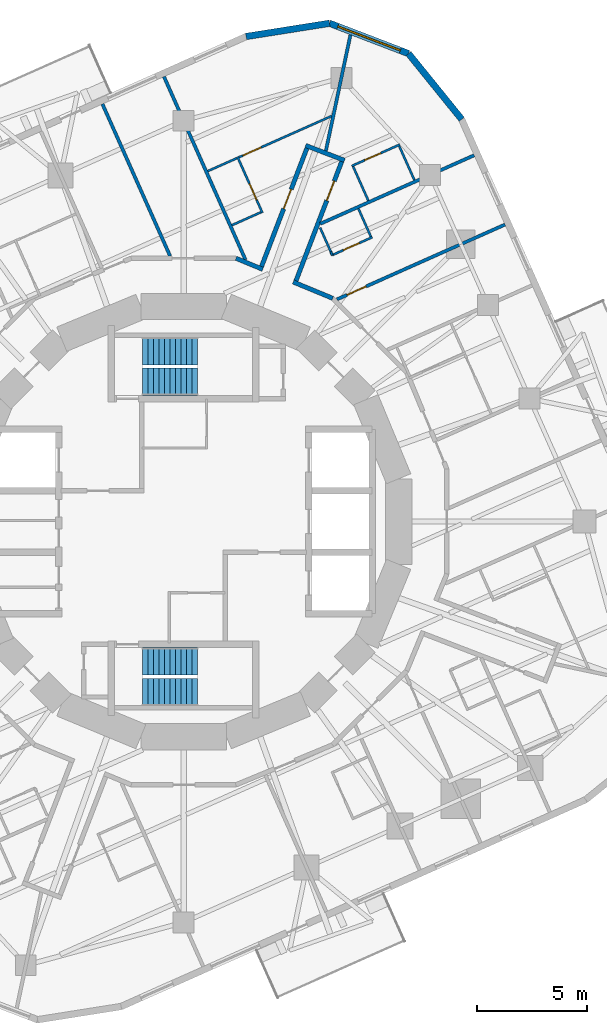
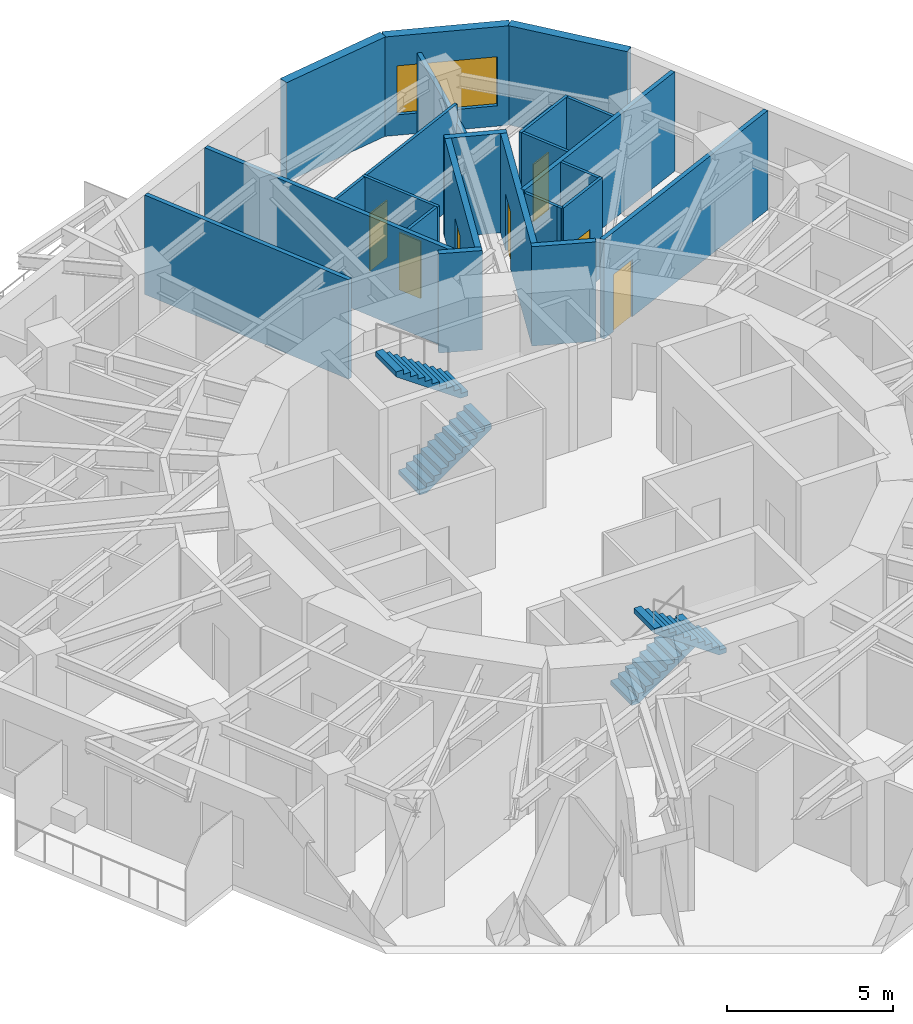
# One storey, part 10 of 12: 24 walls, 7 doors, 4 stair flights, 1 window, 8 openings, 2 elements without a shape of their own.
"""IFC4 building model written with IfcOpenShell, lengths in metres."""

from ifc_helpers import new_model, si_unit, direction, frame, frame_2d, origin, place, context, subcontext, project, spatial, polyline, rectangle, outline, extrude, material, layer, layer_set, type_object, element, fill, aggregate, save


model = new_model("IFC4")

# Units and contexts
model_context = context("Model", 3, precision=1e-05, world=origin(), true_north=direction((0.0, 1.0)))
body_context = subcontext(model_context, "Body", "Model", "MODEL_VIEW")
ifc_project = project(units=[si_unit("LENGTHUNIT", "METRE"), si_unit("AREAUNIT", "SQUARE_METRE"), si_unit("VOLUMEUNIT", "CUBIC_METRE"), si_unit("PLANEANGLEUNIT", "RADIAN"), si_unit("MASSUNIT", "GRAM", prefix="KILO")], contexts=[model_context])

# Site, building, storey
site_placement = place(None, origin())
site = spatial("IfcSite", under=ifc_project, at=site_placement, CompositionType="ELEMENT")
building_placement = place(site_placement, origin())
building = spatial("IfcBuilding", under=site, at=building_placement, Name="Nakasero Lantern House", CompositionType="ELEMENT")
storey_placement = place(building_placement, frame((0.0, 0.0, 190.14990234375)))
storey = spatial("IfcBuildingStorey", under=building, at=storey_placement, Name="L46", CompositionType="ELEMENT", Elevation=190.14990234375)

# Walls
ifc_material_1 = material(Name="Blockwork", Category="masonry")
ifc_layer_1 = layer(ifc_material_1, 0.199951171875)
ifc_layer_set_1 = layer_set([ifc_layer_1], Name="Corridor wall 200")
wall_type_1 = type_object("IfcWallType", Name="Corridor wall 200", PredefinedType="PARTITIONING", material=ifc_layer_set_1)
wall_1_placement = place(storey_placement, frame((2.388427734375, 12.0078125, 0.0), z_axis=(0.0, 0.0, 1.0), x_axis=(0.923893220228, -0.382650385623, 0.0)))
element("IfcWall", 1, at=wall_1_placement, inside=storey, type_object=wall_type_1, Name="Corridor wall L46 RC13a", PredefinedType="PARTITIONING", context=body_context, shape_type="SweptSolid", body=[
    extrude(rectangle(XDim=1.323974609375, YDim=0.199951171875, at=frame_2d((0.662109375, 0.0))), origin(), (0.0, 0.0, 1.0), 3.650146484375),
])
wall_2_placement = place(storey_placement, frame((4.997802734375, 10.927001953125, 0.0), z_axis=(0.0, 0.0, 1.0), x_axis=(0.923881222106, -0.382679353297, 0.0)))
element("IfcWall", 2, at=wall_2_placement, inside=storey, type_object=wall_type_1, Name="Corridor wall L46 RC13b", PredefinedType="PARTITIONING", context=body_context, shape_type="SweptSolid", body=[
    extrude(rectangle(XDim=1.952880859375, YDim=0.199951171875, at=frame_2d((0.9765625, 0.0))), origin(), (0.0, 0.0, 1.0), 3.650146484375),
])

# Wall, opening, door
wall_3_placement = place(storey_placement, frame((5.09033203125, 10.888671875, 0.0), z_axis=(0.0, 0.0, 1.0), x_axis=(0.35835059057, 0.933587089798, 0.0)))
wall_3 = element("IfcWall", 3, at=wall_3_placement, inside=storey, type_object=wall_type_1, Name="Corridor wall L46 SP0a", PredefinedType="PARTITIONING", context=body_context, shape_type="SweptSolid", body=[
    extrude(rectangle(XDim=6.117919921875, YDim=0.199951171875, at=frame_2d((3.05908203125, 0.0))), origin(), (0.0, 0.0, 1.0), 3.650146484375),
])
opening_1_placement = place(wall_3_placement, frame((4.02001953125, 0.0, 0.0)))
opening_1 = element("IfcOpeningElement", 4, at=opening_1_placement, cuts=wall_3, Name="Opening D01", PredefinedType="OPENING", context=body_context, shape_type="SweptSolid", body=[
    extrude(rectangle(XDim=0.949951171875, YDim=2.10009765625, at=frame_2d((0.47509765625, 1.050048828125))), frame((0.0, 0.119873046875, 0.0), z_axis=(0.0, -1.0, 0.0), x_axis=(1.0, 0.0, 0.0)), (0.0, 0.0, 1.0), 0.239990234375),
])
ifc_material_2 = material(Name="Timber C24", Category="wood")
door_type_1 = type_object("IfcDoorType", Name="Bedroom door FD30S 950", OperationType="SINGLE_SWING_LEFT", PredefinedType="DOOR", material=ifc_material_2)
door_1_placement = place(opening_1_placement, origin())
door_1 = element("IfcDoor", 5, at=door_1_placement, inside=storey, type_object=door_type_1, Name="Door L46 D0-06", OperationType="SINGLE_SWING_RIGHT", OverallHeight=2.10009765625, OverallWidth=0.949951171875, PredefinedType="DOOR", context=body_context, shape_type="SweptSolid", body=[
    extrude(rectangle(XDim=0.949951171875, YDim=2.10009765625, at=frame_2d((0.47509765625, 1.050048828125))), frame((0.0, 0.02490234375, 0.0), z_axis=(0.0, -1.0, 0.0), x_axis=(1.0, 0.0, 0.0)), (0.0, 0.0, 1.0), 0.050048828125),
])
fill(opening_1, door_1)

wall_4_placement = place(storey_placement, frame((3.51904296875, 11.53955078125, 0.0), z_axis=(0.0, 0.0, 1.0), x_axis=(0.358394497993, 0.93357023507, 0.0)))
wall_4 = element("IfcWall", 6, at=wall_4_placement, inside=storey, type_object=wall_type_1, Name="Corridor wall L46 SP0b", PredefinedType="PARTITIONING", context=body_context, shape_type="SweptSolid", body=[
    extrude(rectangle(XDim=6.07373046875, YDim=0.199951171875, at=frame_2d((3.036865234375, 0.0))), origin(), (0.0, 0.0, 1.0), 3.650146484375),
])
opening_2_placement = place(wall_4_placement, frame((2.919921875, 0.0, 0.0)))
opening_2 = element("IfcOpeningElement", 7, at=opening_2_placement, cuts=wall_4, Name="Opening D01", PredefinedType="OPENING", context=body_context, shape_type="SweptSolid", body=[
    extrude(rectangle(XDim=0.949951171875, YDim=2.10009765625, at=frame_2d((0.47509765625, 1.050048828125))), frame((0.0, 0.119873046875, 0.0), z_axis=(0.0, -1.0, 0.0), x_axis=(1.0, 0.0, 0.0)), (0.0, 0.0, 1.0), 0.239990234375),
])
door_2_placement = place(opening_2_placement, origin())
door_2 = element("IfcDoor", 8, at=door_2_placement, inside=storey, type_object=door_type_1, Name="Door L46 D1-00", OperationType="SINGLE_SWING_RIGHT", OverallHeight=2.10009765625, OverallWidth=0.949951171875, PredefinedType="DOOR", context=body_context, shape_type="SweptSolid", body=[
    extrude(rectangle(XDim=0.949951171875, YDim=2.10009765625, at=frame_2d((0.47509765625, 1.050048828125))), frame((0.0, 0.02490234375, 0.0), z_axis=(0.0, -1.0, 0.0), x_axis=(1.0, 0.0, 0.0)), (0.0, 0.0, 1.0), 0.050048828125),
])
fill(opening_2, door_2)

# Wall
wall_5_placement = place(storey_placement, frame((7.34033203125, 16.47119140625, 0.0), z_axis=(0.0, 0.0, 1.0), x_axis=(-0.933587135733, 0.3583504709, 0.0)))
element("IfcWall", 9, at=wall_5_placement, inside=storey, type_object=wall_type_1, Name="Corridor wall L46 SP0e", PredefinedType="PARTITIONING", context=body_context, shape_type="SweptSolid", body=[
    extrude(rectangle(XDim=1.900146484375, YDim=0.199951171875, at=frame_2d((0.9501953125, 0.0))), origin(), (0.0, 0.0, 1.0), 3.650146484375),
])

# Wall, opening, door
ifc_material_3 = material(Name="Blockwork", Category="masonry")
ifc_layer_2 = layer(ifc_material_3, 0.10009765625)
ifc_layer_set_2 = layer_set([ifc_layer_2], Name="En-suite wall 100")
wall_type_2 = type_object("IfcWallType", Name="En-suite wall 100", PredefinedType="PARTITIONING", material=ifc_layer_set_2)
wall_6_placement = place(storey_placement, frame((6.78125, 12.153564453125, 0.0), z_axis=(0.0, 0.0, 1.0), x_axis=(0.913529410294, 0.406772684097, 0.0)))
wall_6 = element("IfcWall", 10, at=wall_6_placement, inside=storey, type_object=wall_type_2, Name="En-suite wall L46 ES0-05", PredefinedType="PARTITIONING", context=body_context, shape_type="SweptSolid", body=[
    extrude(rectangle(XDim=1.999755859375, YDim=0.10009765625, at=frame_2d((1.0, 0.0))), origin(), (0.0, 0.0, 1.0), 3.650146484375),
])
opening_3_placement = place(wall_6_placement, frame((0.550048828125, 0.0, 0.0)))
opening_3 = element("IfcOpeningElement", 11, at=opening_3_placement, cuts=wall_6, Name="Opening D02", PredefinedType="OPENING", context=body_context, shape_type="SweptSolid", body=[
    extrude(rectangle(XDim=0.800048828125, YDim=2.10009765625, at=frame_2d((0.39990234375, 1.050048828125))), frame((0.0, 0.070068359375, 0.0), z_axis=(0.0, -1.0, 0.0), x_axis=(1.0, 0.0, 0.0)), (0.0, 0.0, 1.0), 0.14013671875),
])
ifc_material_4 = material(Name="Timber C24", Category="wood")
door_type_2 = type_object("IfcDoorType", Name="En-suite door 800", OperationType="SINGLE_SWING_RIGHT", PredefinedType="DOOR", material=ifc_material_4)
door_3_placement = place(opening_3_placement, origin())
door_3 = element("IfcDoor", 12, at=door_3_placement, inside=storey, type_object=door_type_2, Name="Door L46 DE0-05", OperationType="SINGLE_SWING_LEFT", OverallHeight=2.10009765625, OverallWidth=0.800048828125, PredefinedType="DOOR", context=body_context, shape_type="SweptSolid", body=[
    extrude(rectangle(XDim=0.800048828125, YDim=2.10009765625, at=frame_2d((0.39990234375, 1.050048828125))), frame((0.0, 0.02490234375, 0.0), z_axis=(0.0, -1.0, 0.0), x_axis=(1.0, 0.0, 0.0)), (0.0, 0.0, 1.0), 0.050048828125),
])
fill(opening_3, door_3)

# Wall
wall_7_placement = place(storey_placement, frame((8.542236328125, 12.992431640625, 0.0), z_axis=(0.0, 0.0, 1.0), x_axis=(-0.406866486472, 0.913487636581, 0.0)))
element("IfcWall", 13, at=wall_7_placement, inside=storey, type_object=wall_type_2, Name="En-suite wall L46 EE0-05", PredefinedType="PARTITIONING", context=body_context, shape_type="SweptSolid", body=[
    extrude(rectangle(XDim=1.39990234375, YDim=0.10009765625, at=frame_2d((0.699951171875, 0.0))), origin(), (0.0, 0.0, 1.0), 3.650146484375),
])

# Wall, opening, door
wall_8_placement = place(storey_placement, frame((7.66748046875, 16.215087890625, 0.0), z_axis=(0.0, 0.0, 1.0), x_axis=(0.913530294257, 0.40677069889, 0.0)))
wall_8 = element("IfcWall", 14, at=wall_8_placement, inside=storey, type_object=wall_type_2, Name="En-suite wall L46 ES0-06", PredefinedType="PARTITIONING", context=body_context, shape_type="SweptSolid", body=[
    extrude(rectangle(XDim=2.400146484375, YDim=0.10009765625, at=frame_2d((1.2001953125, 0.0))), origin(), (0.0, 0.0, 1.0), 3.650146484375),
])
opening_4_placement = place(wall_8_placement, frame((0.64990234375, 0.0, 0.0)))
opening_4 = element("IfcOpeningElement", 15, at=opening_4_placement, cuts=wall_8, Name="Opening D02", PredefinedType="OPENING", context=body_context, shape_type="SweptSolid", body=[
    extrude(rectangle(XDim=0.800048828125, YDim=2.10009765625, at=frame_2d((0.39990234375, 1.050048828125))), frame((0.0, 0.070068359375, 0.0), z_axis=(0.0, -1.0, 0.0), x_axis=(1.0, 0.0, 0.0)), (0.0, 0.0, 1.0), 0.14013671875),
])
door_4_placement = place(opening_4_placement, origin())
door_4 = element("IfcDoor", 16, at=door_4_placement, inside=storey, type_object=door_type_2, Name="Door L46 DE0-06", OperationType="SINGLE_SWING_LEFT", OverallHeight=2.10009765625, OverallWidth=0.800048828125, PredefinedType="DOOR", context=body_context, shape_type="SweptSolid", body=[
    extrude(rectangle(XDim=0.800048828125, YDim=2.10009765625, at=frame_2d((0.39990234375, 1.050048828125))), frame((0.0, 0.02490234375, 0.0), z_axis=(0.0, -1.0, 0.0), x_axis=(1.0, 0.0, 0.0)), (0.0, 0.0, 1.0), 0.050048828125),
])
fill(opening_4, door_4)

# Walls
wall_9_placement = place(storey_placement, frame((10.526123046875, 15.572265625, 0.0), z_axis=(0.0, 0.0, 1.0), x_axis=(-0.406724697108, 0.913550776237, 0.0)))
element("IfcWall", 17, at=wall_9_placement, inside=storey, type_object=wall_type_2, Name="En-suite wall L46 EE0-06", PredefinedType="PARTITIONING", context=body_context, shape_type="SweptSolid", body=[
    extrude(rectangle(XDim=1.699951171875, YDim=0.10009765625, at=frame_2d((0.85009765625, 0.0))), origin(), (0.0, 0.0, 1.0), 3.650146484375),
])
wall_10_placement = place(storey_placement, frame((8.425048828125, 14.63671875, 0.0), z_axis=(0.0, 0.0, 1.0), x_axis=(-0.406671340378, 0.91357452948, 0.0)))
element("IfcWall", 18, at=wall_10_placement, inside=storey, type_object=wall_type_2, Name="En-suite wall L46 EI0-06", PredefinedType="PARTITIONING", context=body_context, shape_type="SweptSolid", body=[
    extrude(rectangle(XDim=1.7001953125, YDim=0.10009765625, at=frame_2d((0.85009765625, 0.0))), origin(), (0.0, 0.0, 1.0), 3.650146484375),
])

# Wall, opening, door
wall_11_placement = place(storey_placement, frame((3.594482421875, 14.079345703125, 0.0), z_axis=(0.0, 0.0, 1.0), x_axis=(-0.406761316386, 0.913534471978, 0.0)))
wall_11 = element("IfcWall", 19, at=wall_11_placement, inside=storey, type_object=wall_type_2, Name="En-suite wall L46 ES1-00", PredefinedType="PARTITIONING", context=body_context, shape_type="SweptSolid", body=[
    extrude(rectangle(XDim=2.800048828125, YDim=0.10009765625, at=frame_2d((1.39990234375, 0.0))), origin(), (0.0, 0.0, 1.0), 3.650146484375),
])
opening_5_placement = place(wall_11_placement, frame((0.64990234375, 0.0, 0.0)))
opening_5 = element("IfcOpeningElement", 20, at=opening_5_placement, cuts=wall_11, Name="Opening D02", PredefinedType="OPENING", context=body_context, shape_type="SweptSolid", body=[
    extrude(rectangle(XDim=0.800048828125, YDim=2.10009765625, at=frame_2d((0.39990234375, 1.050048828125))), frame((0.0, 0.070068359375, 0.0), z_axis=(0.0, -1.0, 0.0), x_axis=(1.0, 0.0, 0.0)), (0.0, 0.0, 1.0), 0.14013671875),
])
door_5_placement = place(opening_5_placement, origin())
door_5 = element("IfcDoor", 21, at=door_5_placement, inside=storey, type_object=door_type_2, Name="Door L46 DE1-00", OperationType="SINGLE_SWING_LEFT", OverallHeight=2.10009765625, OverallWidth=0.800048828125, PredefinedType="DOOR", context=body_context, shape_type="SweptSolid", body=[
    extrude(rectangle(XDim=0.800048828125, YDim=2.10009765625, at=frame_2d((0.39990234375, 1.050048828125))), frame((0.0, 0.02490234375, 0.0), z_axis=(0.0, -1.0, 0.0), x_axis=(1.0, 0.0, 0.0)), (0.0, 0.0, 1.0), 0.050048828125),
])
fill(opening_5, door_5)

# Walls
for number, where, z_axis, x_axis, name in (
    (22, (2.430419921875, 16.571044921875, 0.0), (0.0, 0.0, 1.0), (-0.91359617957, -0.406622700638, 0.0), "En-suite wall L46 EE1-00"),
    (23, (3.528564453125, 14.1044921875, 0.0), (0.0, 0.0, 1.0), (-0.91359617957, -0.406622700638, 0.0), "En-suite wall L46 EI1-00"),
):
    element("IfcWall", number, at=place(storey_placement, frame(where, z_axis=z_axis, x_axis=x_axis)), inside=storey, type_object=wall_type_2, Name=name, PredefinedType="PARTITIONING", context=body_context, shape_type="SweptSolid", body=[
        extrude(rectangle(XDim=1.449951171875, YDim=0.10009765625, at=frame_2d((0.72509765625, 0.0))), origin(), (0.0, 0.0, 1.0), 3.650146484375),
    ])

# Wall, opening, door
wall_12_placement = place(storey_placement, frame((6.749267578125, 18.494140625, 0.0), z_axis=(0.0, 0.0, 1.0), x_axis=(-0.913537222533, -0.406755138931, 0.0)))
wall_12 = element("IfcWall", 24, at=wall_12_placement, inside=storey, type_object=wall_type_2, Name="En-suite wall L46 EL1-00", PredefinedType="PARTITIONING", context=body_context, shape_type="SweptSolid", body=[
    extrude(rectangle(XDim=4.627685546875, YDim=0.10009765625, at=frame_2d((2.31396484375, 0.0))), origin(), (0.0, 0.0, 1.0), 3.650146484375),
])
opening_6_placement = place(wall_12_placement, frame((3.527587890625, 0.0, 0.0)))
opening_6 = element("IfcOpeningElement", 25, at=opening_6_placement, cuts=wall_12, Name="Opening D17", PredefinedType="OPENING", context=body_context, shape_type="SweptSolid", body=[
    extrude(rectangle(XDim=0.89990234375, YDim=2.10009765625, at=frame_2d((0.449951171875, 1.050048828125))), frame((0.0, 0.070068359375, 0.0), z_axis=(0.0, -1.0, 0.0), x_axis=(1.0, 0.0, 0.0)), (0.0, 0.0, 1.0), 0.14013671875),
])
ifc_material_5 = material(Name="Timber C24", Category="wood")
door_type_3 = type_object("IfcDoorType", Name="Bedroom door FD30S 900", OperationType="SINGLE_SWING_LEFT", PredefinedType="DOOR", material=ifc_material_5)
door_6_placement = place(opening_6_placement, origin())
door_6 = element("IfcDoor", 26, at=door_6_placement, inside=storey, type_object=door_type_3, Name="Door L46 DL1-00", OperationType="SINGLE_SWING_RIGHT", OverallHeight=2.10009765625, OverallWidth=0.89990234375, PredefinedType="DOOR", context=body_context, shape_type="SweptSolid", body=[
    extrude(rectangle(XDim=0.89990234375, YDim=2.10009765625, at=frame_2d((0.449951171875, 1.050048828125))), frame((0.0, 0.02490234375, 0.0), z_axis=(0.0, -1.0, 0.0), x_axis=(1.0, 0.0, 0.0)), (0.0, 0.0, 1.0), 0.050048828125),
])
fill(opening_6, door_6)

# Walls
wall_13_placement = place(storey_placement, frame((6.225830078125, 13.400634765625, 0.0), z_axis=(0.0, 0.0, 1.0), x_axis=(0.406739792336, -0.913544055495, 0.0)))
element("IfcWall", 27, at=wall_13_placement, inside=storey, type_object=wall_type_2, Name="En-suite wall L46 EX000", PredefinedType="PARTITIONING", context=body_context, shape_type="SweptSolid", body=[
    extrude(rectangle(XDim=1.205322265625, YDim=0.10009765625, at=frame_2d((0.6025390625, 0.0))), origin(), (0.0, 0.0, 1.0), 3.650146484375),
])
wall_14_placement = place(storey_placement, frame((6.78125, 12.153564453125, 0.0), z_axis=(0.0, 0.0, 1.0), x_axis=(-0.407696311466, 0.913117581485, 0.0)))
element("IfcWall", 28, at=wall_14_placement, inside=storey, type_object=wall_type_2, Name="En-suite wall L46 ES0-05R0", PredefinedType="PARTITIONING", context=body_context, shape_type="SweptSolid", body=[
    extrude(rectangle(XDim=0.159912109375, YDim=0.10009765625, at=frame_2d((0.080078125, 0.0))), origin(), (0.0, 0.0, 1.0), 3.650146484375),
])
ifc_material_6 = material(Name="Aluminium rainscreen on blockwork", Category="masonry")
ifc_layer_3 = layer(ifc_material_6, 0.300048828125)
ifc_layer_set_3 = layer_set([ifc_layer_3], Name="Facade wall 300")
wall_type_3 = type_object("IfcWallType", Name="Facade wall 300", PredefinedType="SOLIDWALL", material=ifc_layer_set_3)
wall_15_placement = place(storey_placement, frame((12.684814453125, 18.345458984375, 0.0), z_axis=(0.0, 0.0, 1.0), x_axis=(-0.629285642335, 0.777174099125, 0.0)))
element("IfcWall", 29, at=wall_15_placement, inside=storey, type_object=wall_type_3, Name="Facade wall L46 FW0C1", PredefinedType="SOLIDWALL", context=body_context, shape_type="SweptSolid", body=[
    extrude(rectangle(XDim=3.8564453125, YDim=0.300048828125, at=frame_2d((1.92822265625, 0.0))), origin(), (0.0, 0.0, 1.0), 3.650146484375),
])

# Wall, opening, window
wall_16_placement = place(storey_placement, frame((10.258056640625, 21.342529296875, 0.0), z_axis=(0.0, 0.0, 1.0), x_axis=(-0.933598278948, 0.358321438858, 0.0)))
wall_16 = element("IfcWall", 30, at=wall_16_placement, inside=storey, type_object=wall_type_3, Name="Facade wall L46 FW0C2", PredefinedType="SOLIDWALL", context=body_context, shape_type="SweptSolid", body=[
    extrude(rectangle(XDim=3.8564453125, YDim=0.300048828125, at=frame_2d((1.92822265625, 0.0))), origin(), (0.0, 0.0, 1.0), 3.650146484375),
])
opening_7_placement = place(wall_16_placement, frame((0.39990234375, 0.0, 0.75)))
opening_7 = element("IfcOpeningElement", 31, at=opening_7_placement, cuts=wall_16, Name="Opening W230", PredefinedType="OPENING", context=body_context, shape_type="SweptSolid", body=[
    extrude(rectangle(XDim=3.055908203125, YDim=1.800048828125, at=frame_2d((1.52783203125, 0.89990234375))), frame((0.0, 0.169921875, 0.0), z_axis=(0.0, -1.0, 0.0), x_axis=(1.0, 0.0, 0.0)), (0.0, 0.0, 1.0), 0.340087890625),
])
ifc_material_7 = material(Name="Aluminium 6063-T6 and glass", Category="aluminium")
window_type = type_object("IfcWindowType", Name="Corner window 3056x1800", PartitioningType="SINGLE_PANEL", PredefinedType="WINDOW", material=ifc_material_7)
window_placement = place(opening_7_placement, origin())
window = element("IfcWindow", 32, at=window_placement, inside=storey, type_object=window_type, Name="Window L46 WC0", OverallHeight=1.800048828125, OverallWidth=3.055908203125, PartitioningType="SINGLE_PANEL", PredefinedType="WINDOW", context=body_context, shape_type="SweptSolid", body=[
    extrude(rectangle(XDim=3.055908203125, YDim=1.800048828125, at=frame_2d((1.52783203125, 0.89990234375))), frame((0.0, 0.030029296875, 0.0), z_axis=(0.0, -1.0, 0.0), x_axis=(1.0, 0.0, 0.0)), (0.0, 0.0, 1.0), 0.06005859375),
])
fill(opening_7, window)

# Wall
wall_17_placement = place(storey_placement, frame((6.65771484375, 22.724365234375, 0.0), z_axis=(0.0, 0.0, 1.0), x_axis=(-0.987687906802, -0.156437203878, 0.0)))
element("IfcWall", 33, at=wall_17_placement, inside=storey, type_object=wall_type_3, Name="Facade wall L46 FW0C3", PredefinedType="SOLIDWALL", context=body_context, shape_type="SweptSolid", body=[
    extrude(rectangle(XDim=3.856201171875, YDim=0.300048828125, at=frame_2d((1.92822265625, 0.0))), origin(), (0.0, 0.0, 1.0), 3.650146484375),
])

# Wall, opening, door
ifc_material_8 = material(Name="Blockwork", Category="masonry")
ifc_layer_4 = layer(ifc_material_8, 0.14990234375)
ifc_layer_set_4 = layer_set([ifc_layer_4], Name="Party wall 150")
wall_type_4 = type_object("IfcWallType", Name="Party wall 150", PredefinedType="PARTITIONING", material=ifc_layer_set_4)
wall_18_placement = place(storey_placement, frame((6.99267578125, 10.130615234375, 0.0), z_axis=(0.0, 0.0, 1.0), x_axis=(0.913547411288, 0.406732255089, 0.0)))
wall_18 = element("IfcWall", 34, at=wall_18_placement, inside=storey, type_object=wall_type_4, Name="Party wall L46 PW0-05", PredefinedType="PARTITIONING", context=body_context, shape_type="SweptSolid", body=[
    extrude(rectangle(XDim=8.3916015625, YDim=0.14990234375, at=frame_2d((4.19580078125, 0.0))), origin(), (0.0, 0.0, 1.0), 3.650146484375),
])
opening_8_placement = place(wall_18_placement, frame((0.5, 0.0, 0.0)))
opening_8 = element("IfcOpeningElement", 35, at=opening_8_placement, cuts=wall_18, Name="Opening D01", PredefinedType="OPENING", context=body_context, shape_type="SweptSolid", body=[
    extrude(rectangle(XDim=0.949951171875, YDim=2.10009765625, at=frame_2d((0.47509765625, 1.050048828125))), frame((0.0, 0.094970703125, 0.0), z_axis=(0.0, -1.0, 0.0), x_axis=(1.0, 0.0, 0.0)), (0.0, 0.0, 1.0), 0.18994140625),
])
door_7_placement = place(opening_8_placement, origin())
door_7 = element("IfcDoor", 36, at=door_7_placement, inside=storey, type_object=door_type_1, Name="Door L46 DS0-05", OperationType="SINGLE_SWING_LEFT", OverallHeight=2.10009765625, OverallWidth=0.949951171875, PredefinedType="DOOR", context=body_context, shape_type="SweptSolid", body=[
    extrude(rectangle(XDim=0.949951171875, YDim=2.10009765625, at=frame_2d((0.47509765625, 1.050048828125))), frame((0.0, 0.02490234375, 0.0), z_axis=(0.0, -1.0, 0.0), x_axis=(1.0, 0.0, 0.0)), (0.0, 0.0, 1.0), 0.050048828125),
])
fill(opening_8, door_7)

# Walls
wall_19_placement = place(storey_placement, frame((6.2294921875, 13.5771484375, 0.0), z_axis=(0.0, 0.0, 1.0), x_axis=(0.913546787387, 0.406733656408, 0.0)))
element("IfcWall", 37, at=wall_19_placement, inside=storey, type_object=wall_type_4, Name="Party wall L46 PW0-06", PredefinedType="PARTITIONING", context=body_context, shape_type="SweptSolid", body=[
    extrude(rectangle(XDim=7.686767578125, YDim=0.14990234375, at=frame_2d((3.84326171875, 0.0))), origin(), (0.0, 0.0, 1.0), 3.650146484375),
])
wall_20_placement = place(storey_placement, frame((6.4892578125, 16.905029296875, 0.0), z_axis=(0.0, 0.0, 1.0), x_axis=(0.207273681618, 0.97828299633, 0.0)))
element("IfcWall", 38, at=wall_20_placement, inside=storey, type_object=wall_type_4, Name="Party wall L46 PW1-00", PredefinedType="PARTITIONING", context=body_context, shape_type="SweptSolid", body=[
    extrude(rectangle(XDim=5.4052734375, YDim=0.14990234375, at=frame_2d((2.70263671875, 0.0))), origin(), (0.0, 0.0, 1.0), 2.966552734375),
])
wall_21_placement = place(storey_placement, frame((2.824951171875, 11.935302734375, 0.0), z_axis=(0.0, 0.0, 1.0), x_axis=(-0.40672291788, 0.91355156837, 0.0)))
element("IfcWall", 39, at=wall_21_placement, inside=storey, type_object=wall_type_4, Name="Party wall L46 PW1-01", PredefinedType="PARTITIONING", context=body_context, shape_type="SweptSolid", body=[
    extrude(rectangle(XDim=9.1455078125, YDim=0.14990234375, at=frame_2d((4.57275390625, 0.0))), origin(), (0.0, 0.0, 1.0), 3.650146484375),
])
wall_22_placement = place(storey_placement, frame((-0.61376953125, 12.10791015625, 0.0), z_axis=(0.0, 0.0, 1.0), x_axis=(-0.406720421521, 0.913552679772, 0.0)))
element("IfcWall", 40, at=wall_22_placement, inside=storey, type_object=wall_type_4, Name="Party wall L46 PW1-02", PredefinedType="PARTITIONING", context=body_context, shape_type="SweptSolid", body=[
    extrude(rectangle(XDim=7.589111328125, YDim=0.14990234375, at=frame_2d((3.79443359375, 0.0))), origin(), (0.0, 0.0, 1.0), 3.650146484375),
])

# Stair, stair flights
ifc_material_9 = material(Name="Concrete C40/50", Category="concrete")
stair_type_1 = type_object("IfcStairType", Name="Escape stair ST1 22 risers", PredefinedType="HALF_TURN_STAIR", material=ifc_material_9)
stair_1_placement = place(storey_placement, origin())
stair_1 = element("IfcStair", 41, at=stair_1_placement, inside=storey, type_object=stair_type_1, Name="Escape stair ST1 L46", PredefinedType="HALF_TURN_STAIR")
ifc_material_10 = material(Name="Concrete C40/50", Category="concrete")
stair_flight_type = type_object("IfcStairFlightType", Name="Escape stair flight", PredefinedType="STRAIGHT", material=ifc_material_10)
stair_flight_1_placement = place(storey_placement, frame((-1.875, 6.375, 0.0), z_axis=(0.0, 0.0, 1.0), x_axis=(1.0, 0.0, 0.0)))
stair_flight_1 = element("IfcStairFlight", 42, at=stair_flight_1_placement, type_object=stair_flight_type, Name="ST1 flight 1", NumberOfRisers=11, NumberOfTreads=10, PredefinedType="STRAIGHT", RiserHeight=0.175, TreadLength=0.25, context=body_context, shape_type="SweptSolid", body=[
    extrude(outline(polyline([(0.0, 0.0), (0.0, 0.175048828125), (0.25, 0.175048828125), (0.25, 0.35009765625), (0.5, 0.35009765625), (0.5, 0.52490234375), (0.75, 0.52490234375), (0.75, 0.699951171875), (1.0, 0.699951171875), (1.0, 0.875), (1.25, 0.875), (1.25, 1.050048828125), (1.5, 1.050048828125), (1.5, 1.22509765625), (1.75, 1.22509765625), (1.75, 1.39990234375), (2.0, 1.39990234375), (2.0, 1.574951171875), (2.25, 1.574951171875), (2.25, 1.75), (2.5, 1.75), (2.5, 1.925048828125), (2.5, 1.567138671875), (0.261474609375, 0.0), (0.0, 0.0)])), frame((0.0, 0.625, 0.0), z_axis=(0.0, -1.0, 0.0), x_axis=(1.0, 0.0, 0.0)), (0.0, 0.0, 1.0), 1.25),
])
stair_flight_2_placement = place(storey_placement, frame((0.625, 7.77490234375, 1.925048828125), z_axis=(0.0, 0.0, 1.0), x_axis=(-1.0, 0.0, 0.0)))
stair_flight_2 = element("IfcStairFlight", 43, at=stair_flight_2_placement, type_object=stair_flight_type, Name="ST1 flight 2", NumberOfRisers=11, NumberOfTreads=10, PredefinedType="STRAIGHT", RiserHeight=0.175, TreadLength=0.25, context=body_context, shape_type="SweptSolid", body=[
    extrude(outline(polyline([(0.0, 0.0), (0.0, 0.175048828125), (0.25, 0.175048828125), (0.25, 0.35009765625), (0.5, 0.35009765625), (0.5, 0.52490234375), (0.75, 0.52490234375), (0.75, 0.699951171875), (1.0, 0.699951171875), (1.0, 0.875), (1.25, 0.875), (1.25, 1.050048828125), (1.5, 1.050048828125), (1.5, 1.22509765625), (1.75, 1.22509765625), (1.75, 1.39990234375), (2.0, 1.39990234375), (2.0, 1.574951171875), (2.25, 1.574951171875), (2.25, 1.75), (2.5, 1.75), (2.5, 1.925048828125), (2.5, 1.567138671875), (0.261474609375, 0.0), (0.0, 0.0)])), frame((0.0, 0.625, 0.0), z_axis=(0.0, -1.0, 0.0), x_axis=(1.0, 0.0, 0.0)), (0.0, 0.0, 1.0), 1.25),
])
aggregate(stair_1, [stair_flight_1, stair_flight_2])

ifc_material_11 = material(Name="Concrete C40/50", Category="concrete")
stair_type_2 = type_object("IfcStairType", Name="Escape stair ST2 22 risers", PredefinedType="HALF_TURN_STAIR", material=ifc_material_11)
stair_2_placement = place(storey_placement, origin())
stair_2 = element("IfcStair", 44, at=stair_2_placement, inside=storey, type_object=stair_type_2, Name="Escape stair ST2 L46", PredefinedType="HALF_TURN_STAIR")
stair_flight_3_placement = place(storey_placement, frame((-1.875, -6.375, 0.0), z_axis=(0.0, 0.0, 1.0), x_axis=(1.0, 0.0, 0.0)))
stair_flight_3 = element("IfcStairFlight", 45, at=stair_flight_3_placement, type_object=stair_flight_type, Name="ST2 flight 1", NumberOfRisers=11, NumberOfTreads=10, PredefinedType="STRAIGHT", RiserHeight=0.175, TreadLength=0.25, context=body_context, shape_type="SweptSolid", body=[
    extrude(outline(polyline([(0.0, 0.0), (0.0, 0.175048828125), (0.25, 0.175048828125), (0.25, 0.35009765625), (0.5, 0.35009765625), (0.5, 0.52490234375), (0.75, 0.52490234375), (0.75, 0.699951171875), (1.0, 0.699951171875), (1.0, 0.875), (1.25, 0.875), (1.25, 1.050048828125), (1.5, 1.050048828125), (1.5, 1.22509765625), (1.75, 1.22509765625), (1.75, 1.39990234375), (2.0, 1.39990234375), (2.0, 1.574951171875), (2.25, 1.574951171875), (2.25, 1.75), (2.5, 1.75), (2.5, 1.925048828125), (2.5, 1.567138671875), (0.261474609375, 0.0), (0.0, 0.0)])), frame((0.0, 0.625, 0.0), z_axis=(0.0, -1.0, 0.0), x_axis=(1.0, 0.0, 0.0)), (0.0, 0.0, 1.0), 1.25),
])
stair_flight_4_placement = place(storey_placement, frame((0.625, -7.77490234375, 1.925048828125), z_axis=(0.0, 0.0, 1.0), x_axis=(-1.0, 0.0, 0.0)))
stair_flight_4 = element("IfcStairFlight", 46, at=stair_flight_4_placement, type_object=stair_flight_type, Name="ST2 flight 2", NumberOfRisers=11, NumberOfTreads=10, PredefinedType="STRAIGHT", RiserHeight=0.175, TreadLength=0.25, context=body_context, shape_type="SweptSolid", body=[
    extrude(outline(polyline([(0.0, 0.0), (0.0, 0.175048828125), (0.25, 0.175048828125), (0.25, 0.35009765625), (0.5, 0.35009765625), (0.5, 0.52490234375), (0.75, 0.52490234375), (0.75, 0.699951171875), (1.0, 0.699951171875), (1.0, 0.875), (1.25, 0.875), (1.25, 1.050048828125), (1.5, 1.050048828125), (1.5, 1.22509765625), (1.75, 1.22509765625), (1.75, 1.39990234375), (2.0, 1.39990234375), (2.0, 1.574951171875), (2.25, 1.574951171875), (2.25, 1.75), (2.5, 1.75), (2.5, 1.925048828125), (2.5, 1.567138671875), (0.261474609375, 0.0), (0.0, 0.0)])), frame((0.0, 0.625, 0.0), z_axis=(0.0, -1.0, 0.0), x_axis=(1.0, 0.0, 0.0)), (0.0, 0.0, 1.0), 1.25),
])
aggregate(stair_2, [stair_flight_3, stair_flight_4])

save(model, "model.ifc")
